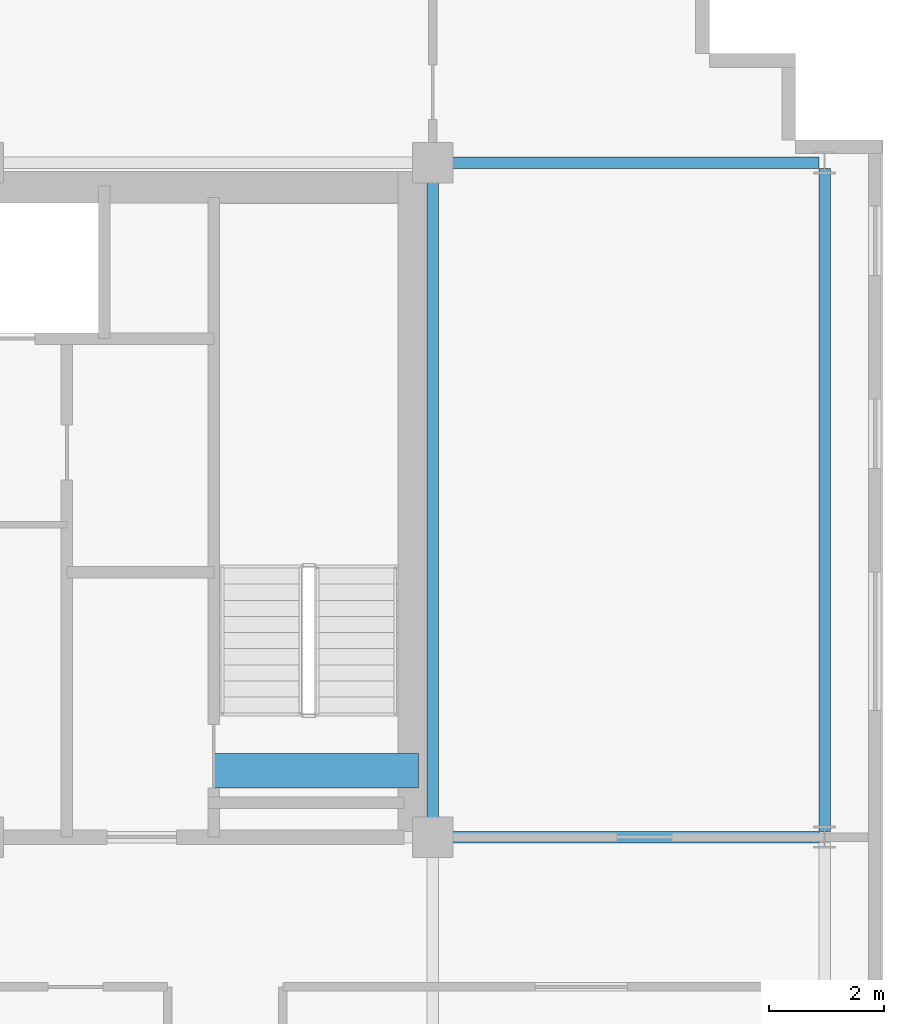
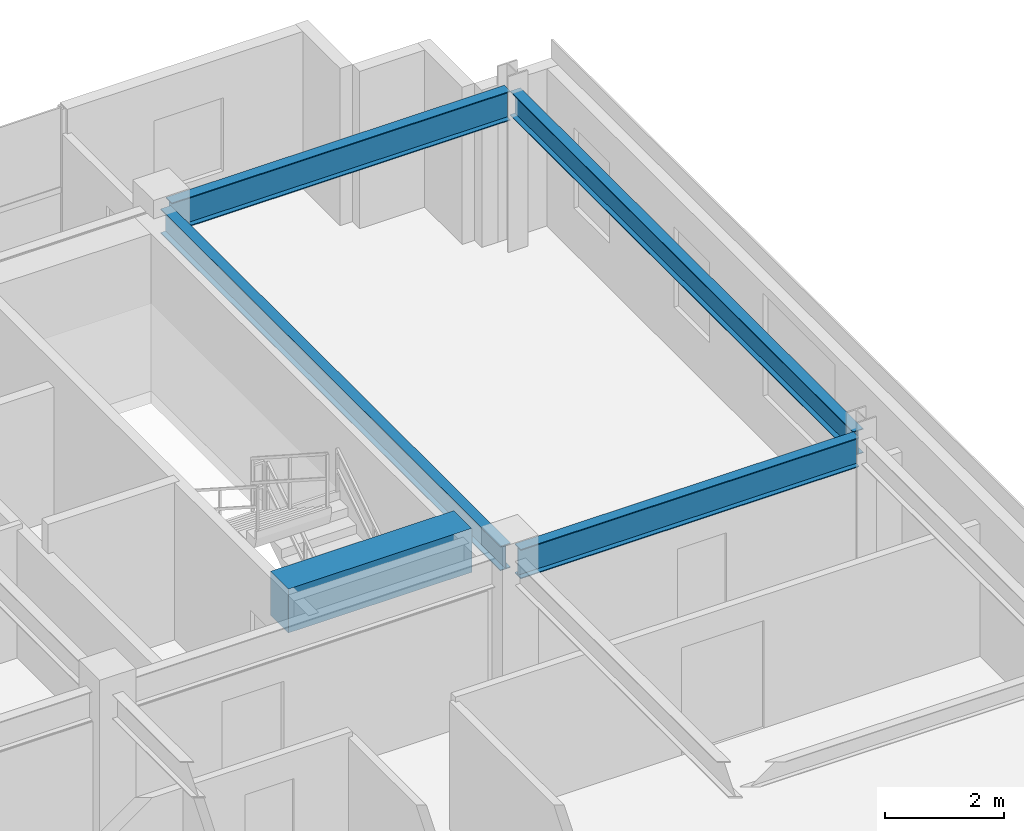
# One storey, part 14 of 24: 5 beams.
"""IFC4 building model written with IfcOpenShell, lengths in metres."""

from ifc_helpers import new_model, si_unit, direction, frame, origin, origin_2d, place, context, subcontext, project, spatial, rectangle, i_section, extrude, source, transform, mapped, material, material_profile, profile_set, type_object, element, save


model = new_model("IFC4")

# Units and contexts
model_context = context("Model", 3, precision=1e-05, world=origin(), true_north=direction((0.0, 1.0)))
body_context = subcontext(model_context, "Body", "Model", "MODEL_VIEW")
ifc_project = project(units=[si_unit("LENGTHUNIT", "METRE"), si_unit("AREAUNIT", "SQUARE_METRE"), si_unit("VOLUMEUNIT", "CUBIC_METRE"), si_unit("PLANEANGLEUNIT", "RADIAN"), si_unit("MASSUNIT", "GRAM", prefix="KILO")], contexts=[model_context])

# Site, building, storey
site_placement = place(None, origin())
site = spatial("IfcSite", under=ifc_project, at=site_placement, CompositionType="ELEMENT")
building_placement = place(site_placement, origin())
building = spatial("IfcBuilding", under=site, at=building_placement, Name="Trelvane Seafront Commons", CompositionType="ELEMENT")
storey_placement = place(building_placement, frame((0.0, 0.0, 178.89990234375)))
storey = spatial("IfcBuildingStorey", under=building, at=storey_placement, Name="L47", CompositionType="ELEMENT", Elevation=178.89990234375)

# Beams
ifc_material_1 = material(Name="Concrete C60/75", Category="concrete")
ifc_material_profile_1 = material_profile(ifc_material_1, rectangle(XDim=0.60009765625, YDim=0.89990234375, at=origin_2d()), Name="RC-600x900")
ifc_profile_set_1 = profile_set([ifc_material_profile_1], Name="Concrete C60/75")
beam_type_1 = type_object("IfcBeamType", Name="STR-LNT-RC600x900", PredefinedType="LINTEL", material=ifc_profile_set_1)
shared_shape_1 = source(origin(), body_context, "Body", "SweptSolid", [
    extrude(rectangle(XDim=0.60009765625, YDim=0.89990234375, at=origin_2d()), origin(), (0.0, 0.0, 1.0), 3.550048828125),
])
beam_1_placement = place(storey_placement, frame((55.0, 34.550048828125, 2.77001953125), z_axis=(1.0, 0.0, 0.0), x_axis=(0.0, 1.0, 0.0)))
element("IfcBeam", 1, at=beam_1_placement, inside=storey, type_object=beam_type_1, Name="L47 Core Coupling Lintel Beam CB-66", PredefinedType="LINTEL", context=body_context, shape_type="MappedRepresentation", body=[
    mapped(shared_shape_1, transform((0.0, 0.0, 0.0), x_axis=(1.0, 0.0, 0.0), y_axis=(0.0, 1.0, 0.0), z_axis=(0.0, 0.0, 1.0), scale=1.0)),
])
ifc_material_2 = material(Name="Steel SM355 (S355)", Category="steel")
ifc_material_profile_2 = material_profile(ifc_material_2, i_section(OverallWidth=0.199951171875, OverallDepth=0.5, WebThickness=0.010009765625, FlangeThickness=0.01611328125, at=origin_2d()), Name="H-500x200x10x16")
ifc_profile_set_2 = profile_set([ifc_material_profile_2], Name="Steel SM355 (S355)")
beam_type_2 = type_object("IfcBeamType", Name="STR-BM-H500", PredefinedType="BEAM", material=ifc_profile_set_2)
shared_shape_2 = source(origin(), body_context, "Body", "SweptSolid", [
    extrude(i_section(OverallWidth=0.199951171875, OverallDepth=0.5, WebThickness=0.010009765625, FlangeThickness=0.01611328125, at=origin_2d()), origin(), (0.0, 0.0, 1.0), 11.39990234375),
])
beam_2_placement = place(storey_placement, frame((58.800048828125, 33.550048828125, 2.97021484375), z_axis=(0.0, 1.0, 0.0), x_axis=(-1.0, 0.0, 0.0)))
element("IfcBeam", 2, at=beam_2_placement, inside=storey, type_object=beam_type_2, Name="L47 Primary Girder G-49", PredefinedType="BEAM", context=body_context, shape_type="MappedRepresentation", body=[
    mapped(shared_shape_2, transform((0.0, 0.0, 0.0), x_axis=(1.0, 0.0, 0.0), y_axis=(0.0, 1.0, 0.0), z_axis=(0.0, 0.0, 1.0), scale=1.0)),
])
ifc_material_profile_3 = material_profile(ifc_material_2, i_section(OverallWidth=0.199951171875, OverallDepth=0.60009765625, WebThickness=0.010986328125, FlangeThickness=0.01708984375, at=origin_2d()), Name="H-600x200x11x17")
ifc_profile_set_3 = profile_set([ifc_material_profile_3], Name="Steel SM355 (S355)")
beam_type_3 = type_object("IfcBeamType", Name="STR-SPD-H600", PredefinedType="SPANDREL", material=ifc_profile_set_3)
shared_shape_3 = source(origin(), body_context, "Body", "SweptSolid", [
    extrude(i_section(OverallWidth=0.199951171875, OverallDepth=0.60009765625, WebThickness=0.010986328125, FlangeThickness=0.01708984375, at=origin_2d()), origin(), (0.0, 0.0, 1.0), 6.554931640625),
])
for number, where, z_axis, x_axis, name in (
    (3, (58.949951171875, 33.39990234375, 2.920166015625), (1.0, 0.0, 0.0), (0.0, 1.0, 0.0), "L47 Primary Girder G-21"),
    (4, (58.949951171875, 45.10009765625, 2.920166015625), (1.0, 0.0, 0.0), (0.0, 1.0, 0.0), "L47 Primary Girder G-28"),
):
    element("IfcBeam", number, at=place(storey_placement, frame(where, z_axis=z_axis, x_axis=x_axis)), inside=storey, type_object=beam_type_3, Name=name, PredefinedType="SPANDREL", context=body_context, shape_type="MappedRepresentation", body=[
        mapped(shared_shape_3, transform((0.0, 0.0, 0.0), x_axis=(1.0, 0.0, 0.0), y_axis=(0.0, 1.0, 0.0), z_axis=(0.0, 0.0, 1.0), scale=1.0)),
    ])
shared_shape_4 = source(origin(), body_context, "Body", "SweptSolid", [
    extrude(i_section(OverallWidth=0.199951171875, OverallDepth=0.5, WebThickness=0.010009765625, FlangeThickness=0.01611328125, at=origin_2d()), origin(), (0.0, 0.0, 1.0), 11.509765625),
])
beam_3_placement = place(storey_placement, frame((65.60009765625, 33.4951171875, 2.97021484375), z_axis=(0.0, 1.0, 0.0), x_axis=(-1.0, 0.0, 0.0)))
element("IfcBeam", 5, at=beam_3_placement, inside=storey, type_object=beam_type_2, Name="L47 Primary Girder G-52", PredefinedType="BEAM", context=body_context, shape_type="MappedRepresentation", body=[
    mapped(shared_shape_4, transform((0.0, 0.0, 0.0), x_axis=(1.0, 0.0, 0.0), y_axis=(0.0, 1.0, 0.0), z_axis=(0.0, 0.0, 1.0), scale=1.0)),
])

save(model, "model.ifc")
